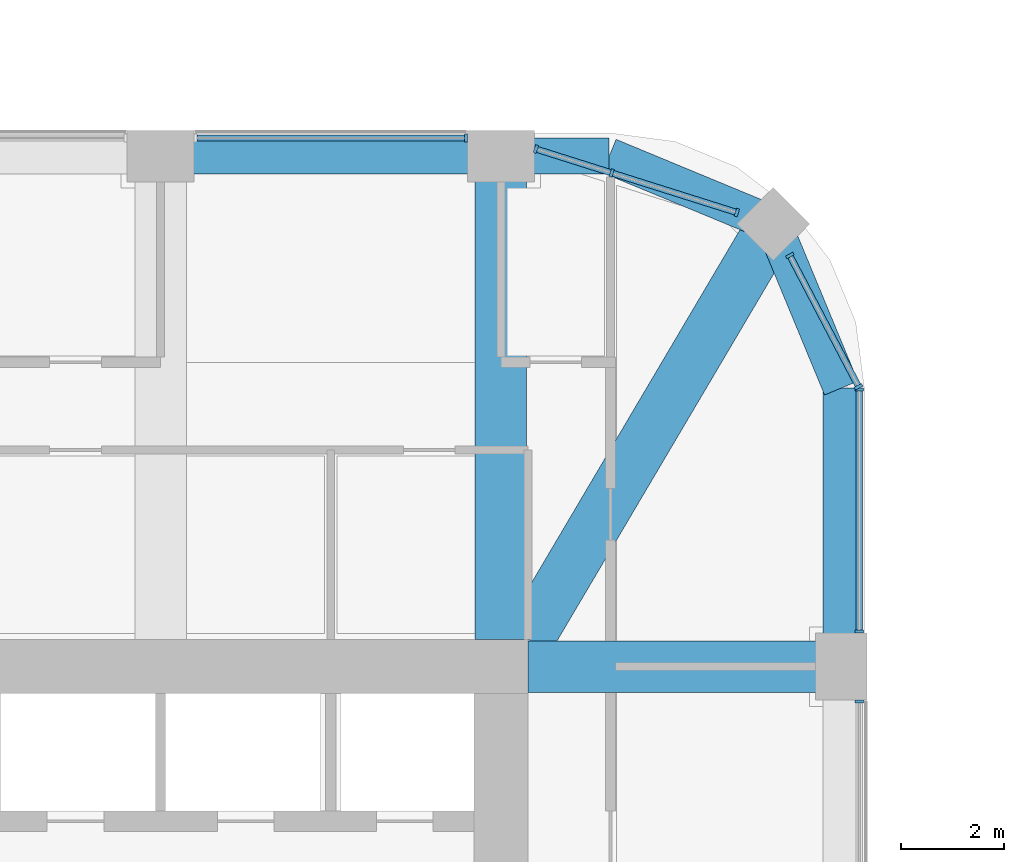
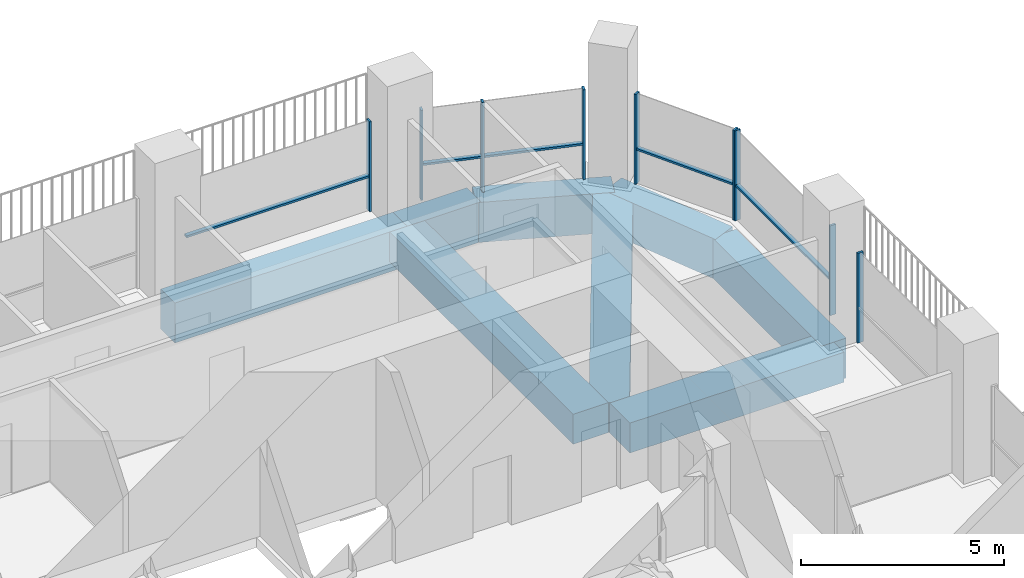
# One storey, part 7 of 20: 14 members, 8 beams, 5 elements without a shape of their own.
"""IFC4 building model written with IfcOpenShell, lengths in metres."""

from ifc_helpers import new_model, si_unit, direction, frame, origin, origin_2d, place, context, subcontext, project, spatial, rectangle, extrude, material, material_profile, profile_set, type_object, element, aggregate, save


model = new_model("IFC4")

# Units and contexts
model_context = context("Model", 3, precision=1e-05, world=origin(), true_north=direction((0.0, 1.0)))
body_context = subcontext(model_context, "Body", "Model", "MODEL_VIEW")
ifc_project = project(units=[si_unit("LENGTHUNIT", "METRE"), si_unit("AREAUNIT", "SQUARE_METRE"), si_unit("VOLUMEUNIT", "CUBIC_METRE"), si_unit("PLANEANGLEUNIT", "RADIAN"), si_unit("MASSUNIT", "GRAM", prefix="KILO")], contexts=[model_context])

# Site, building, storey
site_placement = place(None, origin())
site = spatial("IfcSite", under=ifc_project, at=site_placement, CompositionType="ELEMENT")
building_placement = place(site_placement, origin())
building = spatial("IfcBuilding", under=site, at=building_placement, Name="Cobogo Forest Laboratory Tower", CompositionType="ELEMENT")
storey_placement = place(building_placement, frame((0.0, 0.0, 246.0)))
storey = spatial("IfcBuildingStorey", under=building, at=storey_placement, Name="L56", CompositionType="ELEMENT", Elevation=246.0)

# Curtain wall, member
ifc_material_1 = material(Name="Aluminium curtain wall", Category="aluminium")
curtain_wall_type = type_object("IfcCurtainWallType", Name="CW-2 unitised curtain wall, solar control glazing, laboratory floors zones C and D", PredefinedType="USERDEFINED", material=ifc_material_1)
curtain_wall_1_placement = place(storey_placement, origin())
curtain_wall_1 = element("IfcCurtainWall", 1, at=curtain_wall_1_placement, inside=storey, type_object=curtain_wall_type, Name="Curtain wall 10 L56", ObjectType="UNITISED CURTAIN WALL", PredefinedType="USERDEFINED")
ifc_material_2 = material(Name="Aluminium mullion", Category="aluminium")
ifc_material_profile_1 = material_profile(ifc_material_2, rectangle(XDim=0.06005859375, YDim=0.159912109375, at=origin_2d()), Name="AL 60x160")
ifc_profile_set_1 = profile_set([ifc_material_profile_1], Name="Aluminium mullion")
member_type_1 = type_object("IfcMemberType", Name="MU-1 aluminium mullion 60x160", PredefinedType="MULLION", material=ifc_profile_set_1)
member_1_placement = place(storey_placement, frame((46.550048828125, 32.320068359375, 0.0), z_axis=(0.0, 0.0, 1.0), x_axis=(0.0, 1.0, 0.0)))
member_1 = element("IfcMember", 2, at=member_1_placement, type_object=member_type_1, Name="CW-2 mullion 2", PredefinedType="MULLION", context=body_context, shape_type="SweptSolid", body=[
    extrude(rectangle(XDim=0.06005859375, YDim=0.159912109375, at=origin_2d()), origin(), (0.0, 0.0, 1.0), 2.699951171875),
])
aggregate(curtain_wall_1, [member_1])

# Curtain wall, members
curtain_wall_2_placement = place(storey_placement, origin())
curtain_wall_2 = element("IfcCurtainWall", 3, at=curtain_wall_2_placement, inside=storey, type_object=curtain_wall_type, Name="Curtain wall 11 L56", ObjectType="UNITISED CURTAIN WALL", PredefinedType="USERDEFINED")
member_2_placement = place(storey_placement, frame((46.550048828125, 33.679931640625, 0.0), z_axis=(0.0, 0.0, 1.0), x_axis=(0.0, 1.0, 0.0)))
member_2 = element("IfcMember", 4, at=member_2_placement, type_object=member_type_1, Name="CW-2 mullion 1", PredefinedType="MULLION", context=body_context, shape_type="SweptSolid", body=[
    extrude(rectangle(XDim=0.06005859375, YDim=0.159912109375, at=origin_2d()), origin(), (0.0, 0.0, 1.0), 2.699951171875),
])
member_3_placement = place(storey_placement, frame((46.550048828125, 38.3701171875, 0.0), z_axis=(0.0, 0.0, 1.0), x_axis=(0.0, 1.0, 0.0)))
member_3 = element("IfcMember", 5, at=member_3_placement, type_object=member_type_1, Name="CW-2 mullion 2", PredefinedType="MULLION", context=body_context, shape_type="SweptSolid", body=[
    extrude(rectangle(XDim=0.06005859375, YDim=0.159912109375, at=origin_2d()), origin(), (0.0, 0.0, 1.0), 2.699951171875),
])

curtain_wall_3_placement = place(storey_placement, origin())
curtain_wall_3 = element("IfcCurtainWall", 6, at=curtain_wall_3_placement, inside=storey, type_object=curtain_wall_type, Name="Curtain wall 12 L56", ObjectType="UNITISED CURTAIN WALL", PredefinedType="USERDEFINED")
member_4_placement = place(storey_placement, frame((46.5361328125, 38.426513671875, 0.0), z_axis=(0.0, 0.0, 1.0), x_axis=(-0.464283791352, 0.885686491422, 0.0)))
member_4 = element("IfcMember", 7, at=member_4_placement, type_object=member_type_1, Name="CW-2 mullion 1", PredefinedType="MULLION", context=body_context, shape_type="SweptSolid", body=[
    extrude(rectangle(XDim=0.06005859375, YDim=0.159912109375, at=origin_2d()), origin(), (0.0, 0.0, 1.0), 2.699951171875),
])
member_5_placement = place(storey_placement, frame((45.202392578125, 40.970947265625, 0.0), z_axis=(0.0, 0.0, 1.0), x_axis=(-0.464283791352, 0.885686491422, 0.0)))
member_5 = element("IfcMember", 8, at=member_5_placement, type_object=member_type_1, Name="CW-2 mullion 2", PredefinedType="MULLION", context=body_context, shape_type="SweptSolid", body=[
    extrude(rectangle(XDim=0.06005859375, YDim=0.159912109375, at=origin_2d()), origin(), (0.0, 0.0, 1.0), 2.699951171875),
])

curtain_wall_4_placement = place(storey_placement, origin())
curtain_wall_4 = element("IfcCurtainWall", 9, at=curtain_wall_4_placement, inside=storey, type_object=curtain_wall_type, Name="Curtain wall 13 L56", ObjectType="UNITISED CURTAIN WALL", PredefinedType="USERDEFINED")
member_6_placement = place(storey_placement, frame((44.17626953125, 41.804931640625, 0.0), z_axis=(0.0, 0.0, 1.0), x_axis=(-0.953581386052, 0.301135418334, 0.0)))
member_6 = element("IfcMember", 10, at=member_6_placement, type_object=member_type_1, Name="CW-2 mullion 1", PredefinedType="MULLION", context=body_context, shape_type="SweptSolid", body=[
    extrude(rectangle(XDim=0.06005859375, YDim=0.159912109375, at=origin_2d()), origin(), (0.0, 0.0, 1.0), 2.699951171875),
])
member_7_placement = place(storey_placement, frame((41.7490234375, 42.5712890625, 0.0), z_axis=(0.0, 0.0, 1.0), x_axis=(-0.953581386052, 0.301135418334, 0.0)))
member_7 = element("IfcMember", 11, at=member_7_placement, type_object=member_type_1, Name="CW-2 mullion 2", PredefinedType="MULLION", context=body_context, shape_type="SweptSolid", body=[
    extrude(rectangle(XDim=0.06005859375, YDim=0.159912109375, at=origin_2d()), origin(), (0.0, 0.0, 1.0), 2.699951171875),
])
member_8_placement = place(storey_placement, frame((40.278564453125, 43.03564453125, 0.0), z_axis=(0.0, 0.0, 1.0), x_axis=(-0.953581386052, 0.301135418334, 0.0)))
member_8 = element("IfcMember", 12, at=member_8_placement, type_object=member_type_1, Name="CW-2 mullion 3", PredefinedType="MULLION", context=body_context, shape_type="SweptSolid", body=[
    extrude(rectangle(XDim=0.06005859375, YDim=0.159912109375, at=origin_2d()), origin(), (0.0, 0.0, 1.0), 2.699951171875),
])

# Curtain wall, member
curtain_wall_5_placement = place(storey_placement, origin())
curtain_wall_5 = element("IfcCurtainWall", 13, at=curtain_wall_5_placement, inside=storey, type_object=curtain_wall_type, Name="Curtain wall 14 L56", ObjectType="UNITISED CURTAIN WALL", PredefinedType="USERDEFINED")
member_9_placement = place(storey_placement, frame((38.919921875, 43.25, 0.0), z_axis=(0.0, 0.0, 1.0), x_axis=(-1.0, 0.0, 0.0)))
member_9 = element("IfcMember", 14, at=member_9_placement, type_object=member_type_1, Name="CW-2 mullion 1", PredefinedType="MULLION", context=body_context, shape_type="SweptSolid", body=[
    extrude(rectangle(XDim=0.06005859375, YDim=0.159912109375, at=origin_2d()), origin(), (0.0, 0.0, 1.0), 2.699951171875),
])

# Beams
ifc_material_3 = material(Name="Concrete HA-40 (C40/50)", Category="concrete")
ifc_material_profile_2 = material_profile(ifc_material_3, rectangle(XDim=1.0, YDim=0.89990234375, at=origin_2d()), Name="RC 1000x900")
ifc_profile_set_2 = profile_set([ifc_material_profile_2], Name="Concrete HA-40 (C40/50)")
beam_type_1 = type_object("IfcBeamType", Name="Office floor wide beam 1000x900", PredefinedType="BEAM", material=ifc_profile_set_2)
beam_1_placement = place(storey_placement, frame((39.60009765625, 33.52490234375, -0.75), z_axis=(0.0, 1.0, 0.0), x_axis=(-1.0, 0.0, 0.0)))
element("IfcBeam", 15, at=beam_1_placement, inside=storey, type_object=beam_type_1, Name="RB2 R-7-N L56", PredefinedType="BEAM", context=body_context, shape_type="SweptSolid", body=[
    extrude(rectangle(XDim=1.0, YDim=0.89990234375, at=origin_2d()), origin(), (0.0, 0.0, 1.0), 9.375),
])
beam_2_placement = place(storey_placement, frame((40.125, 33.0, -0.75), z_axis=(1.0, 0.0, 0.0), x_axis=(0.0, 1.0, 0.0)))
element("IfcBeam", 16, at=beam_2_placement, inside=storey, type_object=beam_type_1, Name="RB2 R-F-E L56", PredefinedType="BEAM", context=body_context, shape_type="SweptSolid", body=[
    extrude(rectangle(XDim=1.0, YDim=0.89990234375, at=origin_2d()), origin(), (0.0, 0.0, 1.0), 6.074951171875),
])
beam_3_placement = place(storey_placement, frame((44.882080078125, 41.58203125, -0.75), z_axis=(-0.508416325908, -0.861111397875, 0.0), x_axis=(0.861111397875, -0.508416325908, 0.0)))
element("IfcBeam", 17, at=beam_3_placement, inside=storey, type_object=beam_type_1, Name="RB2 G-NE-D1 L56", PredefinedType="BEAM", context=body_context, shape_type="SweptSolid", body=[
    extrude(rectangle(XDim=1.0, YDim=0.89990234375, at=origin_2d()), origin(), (0.0, 0.0, 1.0), 9.356689453125),
])
ifc_material_profile_3 = material_profile(ifc_material_3, rectangle(XDim=0.699951171875, YDim=1.199951171875, at=origin_2d()), Name="RC 700x1200")
ifc_profile_set_3 = profile_set([ifc_material_profile_3], Name="Concrete HA-40 (C40/50)")
beam_type_2 = type_object("IfcBeamType", Name="Perimeter edge beam 700x1200", PredefinedType="BEAM", material=ifc_profile_set_3)
beam_4_placement = place(storey_placement, frame((33.0, 42.89990234375, -0.89990234375), z_axis=(1.0, 0.0, 0.0), x_axis=(0.0, 1.0, 0.0)))
element("IfcBeam", 18, at=beam_4_placement, inside=storey, type_object=beam_type_2, Name="EB1 E-N4 L56", PredefinedType="BEAM", context=body_context, shape_type="SweptSolid", body=[
    extrude(rectangle(XDim=0.699951171875, YDim=1.199951171875, at=origin_2d()), origin(), (0.0, 0.0, 1.0), 6.60009765625),
])
beam_5_placement = place(storey_placement, frame((46.199951171875, 33.0, -0.89990234375), z_axis=(0.0, 1.0, 0.0), x_axis=(-1.0, 0.0, 0.0)))
element("IfcBeam", 19, at=beam_5_placement, inside=storey, type_object=beam_type_2, Name="EB1 E-NEE1 L56", PredefinedType="BEAM", context=body_context, shape_type="SweptSolid", body=[
    extrude(rectangle(XDim=0.699951171875, YDim=1.199951171875, at=origin_2d()), origin(), (0.0, 0.0, 1.0), 5.39990234375),
])
beam_6_placement = place(storey_placement, frame((46.199951171875, 38.39990234375, -0.89990234375), z_axis=(-0.382631424892, 0.923901072997, 0.0), x_axis=(-0.923901072997, -0.382631424892, 0.0)))
element("IfcBeam", 20, at=beam_6_placement, inside=storey, type_object=beam_type_2, Name="EB1 E-NEE2 L56", PredefinedType="BEAM", context=body_context, shape_type="SweptSolid", body=[
    extrude(rectangle(XDim=0.699951171875, YDim=1.199951171875, at=origin_2d()), origin(), (0.0, 0.0, 1.0), 3.4443359375),
])
beam_7_placement = place(storey_placement, frame((39.60009765625, 42.89990234375, -0.89990234375), z_axis=(1.0, 0.0, 0.0), x_axis=(0.0, 1.0, 0.0)))
element("IfcBeam", 21, at=beam_7_placement, inside=storey, type_object=beam_type_2, Name="EB1 E-NEN1 L56", PredefinedType="BEAM", context=body_context, shape_type="SweptSolid", body=[
    extrude(rectangle(XDim=0.699951171875, YDim=1.199951171875, at=origin_2d()), origin(), (0.0, 0.0, 1.0), 2.099853515625),
])
beam_8_placement = place(storey_placement, frame((41.699951171875, 42.89990234375, -0.89990234375), z_axis=(0.923901072997, -0.382631424892, 0.0), x_axis=(0.382631424892, 0.923901072997, 0.0)))
element("IfcBeam", 22, at=beam_8_placement, inside=storey, type_object=beam_type_2, Name="EB1 E-NEN2 L56", PredefinedType="BEAM", context=body_context, shape_type="SweptSolid", body=[
    extrude(rectangle(XDim=0.699951171875, YDim=1.199951171875, at=origin_2d()), origin(), (0.0, 0.0, 1.0), 3.4443359375),
])

# Member
ifc_material_4 = material(Name="Aluminium transom", Category="aluminium")
ifc_material_profile_4 = material_profile(ifc_material_4, rectangle(XDim=0.1201171875, YDim=0.06005859375, at=origin_2d()), Name="AL 60x120")
ifc_profile_set_4 = profile_set([ifc_material_profile_4], Name="Aluminium transom")
member_type_2 = type_object("IfcMemberType", Name="TR-1 aluminium transom 60x120", PredefinedType="USERDEFINED", material=ifc_profile_set_4)
member_10_placement = place(storey_placement, frame((46.550048828125, 33.7099609375, 1.050048828125), z_axis=(0.0, 1.0, 0.0), x_axis=(-1.0, 0.0, 0.0)))
member_10 = element("IfcMember", 23, at=member_10_placement, type_object=member_type_2, Name="CW-2 transom 1.1", ObjectType="TRANSOM", PredefinedType="USERDEFINED", context=body_context, shape_type="SweptSolid", body=[
    extrude(rectangle(XDim=0.1201171875, YDim=0.06005859375, at=origin_2d()), origin(), (0.0, 0.0, 1.0), 4.630126953125),
])

aggregate(curtain_wall_2, [member_2, member_3, member_10])

member_11_placement = place(storey_placement, frame((46.522216796875, 38.453125, 1.050048828125), z_axis=(-0.464282656331, 0.885687086408, 0.0), x_axis=(-0.885687086408, -0.464282656331, 0.0)))
member_11 = element("IfcMember", 24, at=member_11_placement, type_object=member_type_2, Name="CW-2 transom 1.1", ObjectType="TRANSOM", PredefinedType="USERDEFINED", context=body_context, shape_type="SweptSolid", body=[
    extrude(rectangle(XDim=0.1201171875, YDim=0.06005859375, at=origin_2d()), origin(), (0.0, 0.0, 1.0), 2.812744140625),
])

aggregate(curtain_wall_3, [member_4, member_5, member_11])

member_12_placement = place(storey_placement, frame((44.147705078125, 41.81396484375, 1.050048828125), z_axis=(-0.953601962472, 0.301070252882, 0.0), x_axis=(-0.301070252882, -0.953601962472, 0.0)))
member_12 = element("IfcMember", 25, at=member_12_placement, type_object=member_type_2, Name="CW-2 transom 1.1", ObjectType="TRANSOM", PredefinedType="USERDEFINED", context=body_context, shape_type="SweptSolid", body=[
    extrude(rectangle(XDim=0.1201171875, YDim=0.06005859375, at=origin_2d()), origin(), (0.0, 0.0, 1.0), 2.4853515625),
])

member_13_placement = place(storey_placement, frame((41.720458984375, 42.580322265625, 1.050048828125), z_axis=(-0.953587644069, 0.301115600856, 0.0), x_axis=(-0.301115600856, -0.953587644069, 0.0)))
member_13 = element("IfcMember", 26, at=member_13_placement, type_object=member_type_2, Name="CW-2 transom 2.1", ObjectType="TRANSOM", PredefinedType="USERDEFINED", context=body_context, shape_type="SweptSolid", body=[
    extrude(rectangle(XDim=0.1201171875, YDim=0.06005859375, at=origin_2d()), origin(), (0.0, 0.0, 1.0), 1.482177734375),
])

aggregate(curtain_wall_4, [member_6, member_7, member_8, member_12, member_13])

member_14_placement = place(storey_placement, frame((38.889892578125, 43.25, 1.050048828125), z_axis=(-1.0, 0.0, 0.0), x_axis=(0.0, -1.0, 0.0)))
member_14 = element("IfcMember", 27, at=member_14_placement, type_object=member_type_2, Name="CW-2 transom 1.1", ObjectType="TRANSOM", PredefinedType="USERDEFINED", context=body_context, shape_type="SweptSolid", body=[
    extrude(rectangle(XDim=0.1201171875, YDim=0.06005859375, at=origin_2d()), origin(), (0.0, 0.0, 1.0), 5.179931640625),
])

aggregate(curtain_wall_5, [member_9, member_14])

save(model, "model.ifc")
